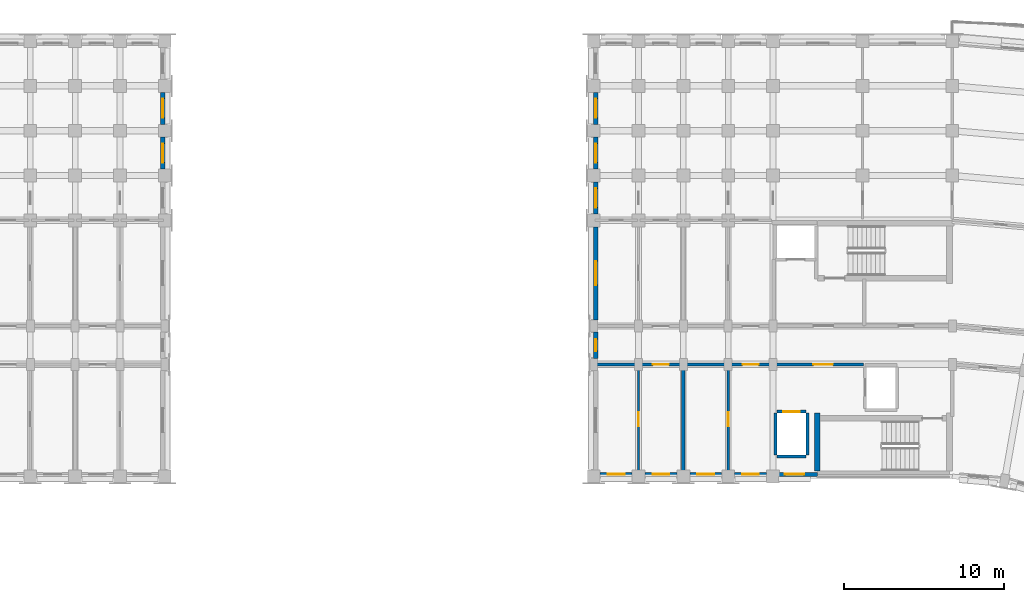
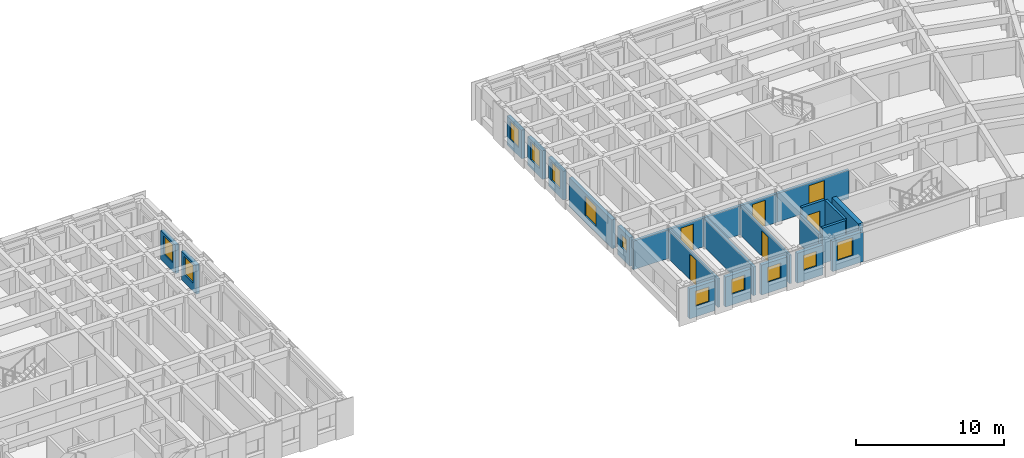
# One storey, part 48 of 76: 25 walls, 12 windows, 6 doors, 18 openings.
"""IFC4 building model written with IfcOpenShell, lengths in metres."""

from ifc_helpers import new_model, si_unit, direction, frame, frame_2d, origin, place, context, subcontext, project, spatial, rectangle, extrude, material, layer, layer_set, type_object, element, fill, save


model = new_model("IFC4")

# Units and contexts
model_context = context("Model", 3, precision=1e-05, world=origin(), true_north=direction((0.0, 1.0)))
body_context = subcontext(model_context, "Body", "Model", "MODEL_VIEW")
ifc_project = project(units=[si_unit("LENGTHUNIT", "METRE"), si_unit("AREAUNIT", "SQUARE_METRE"), si_unit("VOLUMEUNIT", "CUBIC_METRE"), si_unit("PLANEANGLEUNIT", "RADIAN"), si_unit("MASSUNIT", "GRAM", prefix="KILO")], contexts=[model_context])

# Site, building, storey
site_placement = place(None, origin())
site = spatial("IfcSite", under=ifc_project, at=site_placement, CompositionType="ELEMENT")
building_placement = place(site_placement, origin())
building = spatial("IfcBuilding", under=site, at=building_placement, Name="Kiranvali Square Residences", CompositionType="ELEMENT")
storey_placement = place(building_placement, frame((0.0, 0.0, 8.699951171875)))
storey = spatial("IfcBuildingStorey", under=building, at=storey_placement, Name="L02", CompositionType="ELEMENT", Elevation=8.699951171875)

# Wall, opening, door
ifc_material_1 = material(Name="Autoclaved aerated concrete blockwork masonry", Category="masonry")
ifc_layer_1 = layer(ifc_material_1, 0.199951171875)
ifc_layer_set_1 = layer_set([ifc_layer_1], Name="Autoclaved aerated concrete blockwork masonry")
wall_type_1 = type_object("IfcWallType", Name="WL-COR-200", PredefinedType="STANDARD", material=ifc_layer_set_1)
wall_1_placement = place(storey_placement, frame((114.25, 113.60009765625, 0.0), z_axis=(0.0, 0.0, 1.0), x_axis=(-1.0, 0.0, 0.0)))
wall_1 = element("IfcWall", 1, at=wall_1_placement, inside=storey, type_object=wall_type_1, Name="L02 architectural wall WL-L02-B-LL-COR", PredefinedType="STANDARD", context=body_context, shape_type="SweptSolid", body=[
    extrude(rectangle(XDim=5.60009765625, YDim=0.199951171875, at=frame_2d((2.800048828125, 0.0))), origin(), (0.0, 0.0, 1.0), 2.3720703125),
])
opening_1_placement = place(wall_1_placement, frame((1.909912109375, 0.0, 0.0)))
opening_1 = element("IfcOpeningElement", 2, at=opening_1_placement, cuts=wall_1, Name="Opening FD-COR-60", PredefinedType="OPENING", context=body_context, shape_type="SweptSolid", body=[
    extrude(rectangle(XDim=1.219970703125, YDim=2.14990234375, at=frame_2d((0.60986328125, 1.074951171875))), frame((0.0, 0.10986328125, 0.0), z_axis=(0.0, -1.0, 0.0), x_axis=(1.0, 0.0, 0.0)), (0.0, 0.0, 1.0), 0.219970703125),
])
ifc_material_2 = material(Name="Fire-rated acoustic hardwood and mineral-core door assembly", Category="wood")
door_type_1 = type_object("IfcDoorType", Name="DR-FD60-1200", OperationType="NOTDEFINED", PredefinedType="DOOR", material=ifc_material_2)
door_1_placement = place(opening_1_placement, origin())
door_1 = element("IfcDoor", 3, at=door_1_placement, inside=storey, type_object=door_type_1, Name="L02 door DR-L02-1071 (DR-FD60-1200)", OperationType="SINGLE_SWING_LEFT", OverallHeight=2.14990234375, OverallWidth=1.219970703125, PredefinedType="DOOR", context=body_context, shape_type="SweptSolid", body=[
    extrude(rectangle(XDim=1.219970703125, YDim=2.14990234375, at=frame_2d((0.60986328125, 1.074951171875))), frame((0.0, 0.02490234375, 0.0), z_axis=(0.0, -1.0, 0.0), x_axis=(1.0, 0.0, 0.0)), (0.0, 0.0, 1.0), 0.050048828125),
])
fill(opening_1, door_1)

wall_2_placement = place(storey_placement, frame((108.60009765625, 113.60009765625, 0.0), z_axis=(0.0, 0.0, 1.0), x_axis=(-1.0, 0.0, 0.0)))
wall_2 = element("IfcWall", 4, at=wall_2_placement, inside=storey, type_object=wall_type_1, Name="L02 architectural wall WL-L02-B-A1CI-0", PredefinedType="STANDARD", context=body_context, shape_type="SweptSolid", body=[
    extrude(rectangle(XDim=2.800048828125, YDim=0.199951171875, at=frame_2d((1.39990234375, 0.0))), origin(), (0.0, 0.0, 1.0), 2.3720703125),
])
opening_2_placement = place(wall_2_placement, frame((0.89990234375, 0.0, 0.0)))
opening_2 = element("IfcOpeningElement", 5, at=opening_2_placement, cuts=wall_2, Name="Opening FD-APT-60", PredefinedType="OPENING", context=body_context, shape_type="SweptSolid", body=[
    extrude(rectangle(XDim=1.0, YDim=2.14990234375, at=frame_2d((0.5, 1.074951171875))), frame((0.0, 0.10986328125, 0.0), z_axis=(0.0, -1.0, 0.0), x_axis=(1.0, 0.0, 0.0)), (0.0, 0.0, 1.0), 0.219970703125),
])
door_type_2 = type_object("IfcDoorType", Name="DR-APT-1000", OperationType="NOTDEFINED", PredefinedType="DOOR", material=ifc_material_2)
door_2_placement = place(opening_2_placement, origin())
door_2 = element("IfcDoor", 6, at=door_2_placement, inside=storey, type_object=door_type_2, Name="L02 door DR-L02-1075 (DR-APT-1000)", OperationType="SINGLE_SWING_LEFT", OverallHeight=2.14990234375, OverallWidth=1.0, PredefinedType="DOOR", context=body_context, shape_type="SweptSolid", body=[
    extrude(rectangle(XDim=1.0, YDim=2.14990234375, at=frame_2d((0.5, 1.074951171875))), frame((0.0, 0.02490234375, 0.0), z_axis=(0.0, -1.0, 0.0), x_axis=(1.0, 0.0, 0.0)), (0.0, 0.0, 1.0), 0.050048828125),
])
fill(opening_2, door_2)

# Wall
wall_3_placement = place(storey_placement, frame((105.800048828125, 113.60009765625, 0.0), z_axis=(0.0, 0.0, 1.0), x_axis=(-1.0, 0.0, 0.0)))
element("IfcWall", 7, at=wall_3_placement, inside=storey, type_object=wall_type_1, Name="L02 architectural wall WL-L02-B-A1CI-1", PredefinedType="STANDARD", context=body_context, shape_type="SweptSolid", body=[
    extrude(rectangle(XDim=2.800048828125, YDim=0.199951171875, at=frame_2d((1.39990234375, 0.0))), origin(), (0.0, 0.0, 1.0), 2.3720703125),
])

# Wall, opening, door
wall_4_placement = place(storey_placement, frame((103.0, 113.60009765625, 0.0), z_axis=(0.0, 0.0, 1.0), x_axis=(-1.0, 0.0, 0.0)))
wall_4 = element("IfcWall", 8, at=wall_4_placement, inside=storey, type_object=wall_type_1, Name="L02 architectural wall WL-L02-B-A1CI-2", PredefinedType="STANDARD", context=body_context, shape_type="SweptSolid", body=[
    extrude(rectangle(XDim=2.800048828125, YDim=0.199951171875, at=frame_2d((1.39990234375, 0.0))), origin(), (0.0, 0.0, 1.0), 2.3720703125),
])
opening_3_placement = place(wall_4_placement, frame((0.89990234375, 0.0, 0.0)))
opening_3 = element("IfcOpeningElement", 9, at=opening_3_placement, cuts=wall_4, Name="Opening FD-APT-60", PredefinedType="OPENING", context=body_context, shape_type="SweptSolid", body=[
    extrude(rectangle(XDim=1.0, YDim=2.14990234375, at=frame_2d((0.5, 1.074951171875))), frame((0.0, 0.10986328125, 0.0), z_axis=(0.0, -1.0, 0.0), x_axis=(1.0, 0.0, 0.0)), (0.0, 0.0, 1.0), 0.219970703125),
])
door_3_placement = place(opening_3_placement, origin())
door_3 = element("IfcDoor", 10, at=door_3_placement, inside=storey, type_object=door_type_2, Name="L02 door DR-L02-1079 (DR-APT-1000)", OperationType="SINGLE_SWING_LEFT", OverallHeight=2.14990234375, OverallWidth=1.0, PredefinedType="DOOR", context=body_context, shape_type="SweptSolid", body=[
    extrude(rectangle(XDim=1.0, YDim=2.14990234375, at=frame_2d((0.5, 1.074951171875))), frame((0.0, 0.02490234375, 0.0), z_axis=(0.0, -1.0, 0.0), x_axis=(1.0, 0.0, 0.0)), (0.0, 0.0, 1.0), 0.050048828125),
])
fill(opening_3, door_3)

# Walls
wall_5_placement = place(storey_placement, frame((100.199951171875, 113.60009765625, 0.0), z_axis=(0.0, 0.0, 1.0), x_axis=(-1.0, 0.0, 0.0)))
element("IfcWall", 11, at=wall_5_placement, inside=storey, type_object=wall_type_1, Name="L02 architectural wall WL-L02-B-A1CI-3", PredefinedType="STANDARD", context=body_context, shape_type="SweptSolid", body=[
    extrude(rectangle(XDim=2.800048828125, YDim=0.199951171875, at=frame_2d((1.39990234375, 0.0))), origin(), (0.0, 0.0, 1.0), 2.3720703125),
])
ifc_layer_2 = layer(ifc_material_1, 0.219970703125)
ifc_layer_set_2 = layer_set([ifc_layer_2], Name="Autoclaved aerated concrete blockwork masonry")
wall_type_2 = type_object("IfcWallType", Name="WL-DEM-220", PredefinedType="STANDARD", material=ifc_layer_set_2)
wall_6_placement = place(storey_placement, frame((103.0, 106.800048828125, 0.0), z_axis=(0.0, 0.0, 1.0), x_axis=(0.0, 1.0, 0.0)))
element("IfcWall", 12, at=wall_6_placement, inside=storey, type_object=wall_type_2, Name="L02 architectural wall WL-L02-B-A1TI-2", PredefinedType="STANDARD", context=body_context, shape_type="SweptSolid", body=[
    extrude(rectangle(XDim=6.75, YDim=0.219970703125, at=frame_2d((3.375, 0.0))), origin(), (0.0, 0.0, 1.0), 2.3720703125),
])

# Wall, opening, window
ifc_material_3 = material(Name="Breathable lime-rendered clay brick masonry", Category="masonry")
ifc_layer_3 = layer(ifc_material_3, 0.27490234375)
ifc_layer_set_3 = layer_set([ifc_layer_3], Name="Breathable lime-rendered clay brick masonry")
wall_type_3 = type_object("IfcWallType", Name="WL-EXT-275", PredefinedType="STANDARD", material=ifc_layer_set_3)
wall_7_placement = place(storey_placement, frame((70.47509765625, 125.803466796875, 0.0), z_axis=(0.0, 0.0, 1.0), x_axis=(0.0, 1.0, 0.0)))
wall_7 = element("IfcWall", 13, at=wall_7_placement, inside=storey, type_object=wall_type_3, Name="L02 exterior wall A-L02-A1END-4", PredefinedType="STANDARD", context=body_context, shape_type="SweptSolid", body=[
    extrude(rectangle(XDim=1.992919921875, YDim=0.27490234375, at=frame_2d((0.99658203125, 0.0))), origin(), (0.0, 0.0, 1.0), 2.3720703125),
])
opening_4_placement = place(wall_7_placement, frame((0.396484375, 0.0, 0.672119140625)))
opening_4 = element("IfcOpeningElement", 14, at=opening_4_placement, cuts=wall_7, Name="Opening W-06", PredefinedType="OPENING", context=body_context, shape_type="SweptSolid", body=[
    extrude(rectangle(XDim=1.199951171875, YDim=1.5, at=frame_2d((0.60009765625, 0.75))), frame((0.0, 0.1474609375, 0.0), z_axis=(0.0, -1.0, 0.0), x_axis=(1.0, 0.0, 0.0)), (0.0, 0.0, 1.0), 0.294921875),
])
ifc_material_4 = material(Name="Solar-control low-e double glazing", Category="glass")
window_type_1 = type_object("IfcWindowType", Name="WIN-RES-1200x1500", PartitioningType="SINGLE_PANEL", PredefinedType="WINDOW", material=ifc_material_4)
window_1_placement = place(opening_4_placement, origin())
window_1 = element("IfcWindow", 15, at=window_1_placement, inside=storey, type_object=window_type_1, Name="L02 recessed window A-L02-A1END-4", OverallHeight=1.5, OverallWidth=1.199951171875, PartitioningType="SINGLE_PANEL", PredefinedType="WINDOW", context=body_context, shape_type="SweptSolid", body=[
    extrude(rectangle(XDim=1.199951171875, YDim=1.5, at=frame_2d((0.60009765625, 0.75))), frame((0.0, 0.030029296875, 0.0), z_axis=(0.0, -1.0, 0.0), x_axis=(1.0, 0.0, 0.0)), (0.0, 0.0, 1.0), 0.06005859375),
])
fill(opening_4, window_1)

wall_8_placement = place(storey_placement, frame((70.47509765625, 128.603515625, 0.0), z_axis=(0.0, 0.0, 1.0), x_axis=(0.0, 1.0, 0.0)))
wall_8 = element("IfcWall", 16, at=wall_8_placement, inside=storey, type_object=wall_type_3, Name="L02 exterior wall A-L02-A1END-5", PredefinedType="STANDARD", context=body_context, shape_type="SweptSolid", body=[
    extrude(rectangle(XDim=1.992919921875, YDim=0.27490234375, at=frame_2d((0.99658203125, 0.0))), origin(), (0.0, 0.0, 1.0), 2.3720703125),
])
opening_5_placement = place(wall_8_placement, frame((0.396484375, 0.0, 0.672119140625)))
opening_5 = element("IfcOpeningElement", 17, at=opening_5_placement, cuts=wall_8, Name="Opening W-06", PredefinedType="OPENING", context=body_context, shape_type="SweptSolid", body=[
    extrude(rectangle(XDim=1.199951171875, YDim=1.5, at=frame_2d((0.60009765625, 0.75))), frame((0.0, 0.1474609375, 0.0), z_axis=(0.0, -1.0, 0.0), x_axis=(1.0, 0.0, 0.0)), (0.0, 0.0, 1.0), 0.294921875),
])
window_2_placement = place(opening_5_placement, origin())
window_2 = element("IfcWindow", 18, at=window_2_placement, inside=storey, type_object=window_type_1, Name="L02 recessed window A-L02-A1END-5", OverallHeight=1.5, OverallWidth=1.199951171875, PartitioningType="SINGLE_PANEL", PredefinedType="WINDOW", context=body_context, shape_type="SweptSolid", body=[
    extrude(rectangle(XDim=1.199951171875, YDim=1.5, at=frame_2d((0.60009765625, 0.75))), frame((0.0, 0.030029296875, 0.0), z_axis=(0.0, -1.0, 0.0), x_axis=(1.0, 0.0, 0.0)), (0.0, 0.0, 1.0), 0.06005859375),
])
fill(opening_5, window_2)

wall_9_placement = place(storey_placement, frame((111.37158203125, 106.72509765625, 0.0), z_axis=(0.0, 0.0, 1.0), x_axis=(-1.0, 0.0, 0.0)))
wall_9 = element("IfcWall", 19, at=wall_9_placement, inside=storey, type_object=wall_type_3, Name="L02 exterior wall B-L02-A1IN-0", PredefinedType="STANDARD", context=body_context, shape_type="SweptSolid", body=[
    extrude(rectangle(XDim=2.421630859375, YDim=0.27490234375, at=frame_2d((1.2109375, 0.0))), origin(), (0.0, 0.0, 1.0), 2.47216796875),
])
opening_6_placement = place(wall_9_placement, frame((0.821533203125, 0.0, 0.77197265625)))
opening_6 = element("IfcOpeningElement", 20, at=opening_6_placement, cuts=wall_9, Name="Opening W-06", PredefinedType="OPENING", context=body_context, shape_type="SweptSolid", body=[
    extrude(rectangle(XDim=1.199951171875, YDim=1.5, at=frame_2d((0.60009765625, 0.75))), frame((0.0, 0.1474609375, 0.0), z_axis=(0.0, -1.0, 0.0), x_axis=(1.0, 0.0, 0.0)), (0.0, 0.0, 1.0), 0.294921875),
])
window_3_placement = place(opening_6_placement, origin())
window_3 = element("IfcWindow", 21, at=window_3_placement, inside=storey, type_object=window_type_1, Name="L02 recessed window B-L02-A1IN-0", OverallHeight=1.5, OverallWidth=1.199951171875, PartitioningType="SINGLE_PANEL", PredefinedType="WINDOW", context=body_context, shape_type="SweptSolid", body=[
    extrude(rectangle(XDim=1.199951171875, YDim=1.5, at=frame_2d((0.60009765625, 0.75))), frame((0.0, 0.030029296875, 0.0), z_axis=(0.0, -1.0, 0.0), x_axis=(1.0, 0.0, 0.0)), (0.0, 0.0, 1.0), 0.06005859375),
])
fill(opening_6, window_3)

wall_10_placement = place(storey_placement, frame((108.196533203125, 106.72509765625, 0.0), z_axis=(0.0, 0.0, 1.0), x_axis=(-1.0, 0.0, 0.0)))
wall_10 = element("IfcWall", 22, at=wall_10_placement, inside=storey, type_object=wall_type_3, Name="L02 exterior wall B-L02-A1I-0", PredefinedType="STANDARD", context=body_context, shape_type="SweptSolid", body=[
    extrude(rectangle(XDim=1.992919921875, YDim=0.27490234375, at=frame_2d((0.99658203125, 0.0))), origin(), (0.0, 0.0, 1.0), 2.47216796875),
])
opening_7_placement = place(wall_10_placement, frame((0.471435546875, 0.0, 0.8798828125)))
opening_7 = element("IfcOpeningElement", 23, at=opening_7_placement, cuts=wall_10, Name="Opening W-24", PredefinedType="OPENING", context=body_context, shape_type="SweptSolid", body=[
    extrude(rectangle(XDim=1.050048828125, YDim=1.25, at=frame_2d((0.52490234375, 0.625))), frame((0.0, 0.1474609375, 0.0), z_axis=(0.0, -1.0, 0.0), x_axis=(1.0, 0.0, 0.0)), (0.0, 0.0, 1.0), 0.294921875),
])
window_type_2 = type_object("IfcWindowType", Name="WIN-COR-1050x1250", PartitioningType="SINGLE_PANEL", PredefinedType="WINDOW", material=ifc_material_4)
window_4_placement = place(opening_7_placement, origin())
window_4 = element("IfcWindow", 24, at=window_4_placement, inside=storey, type_object=window_type_2, Name="L02 recessed window B-L02-A1I-0", OverallHeight=1.25, OverallWidth=1.050048828125, PartitioningType="SINGLE_PANEL", PredefinedType="WINDOW", context=body_context, shape_type="SweptSolid", body=[
    extrude(rectangle(XDim=1.050048828125, YDim=1.25, at=frame_2d((0.52490234375, 0.625))), frame((0.0, 0.030029296875, 0.0), z_axis=(0.0, -1.0, 0.0), x_axis=(1.0, 0.0, 0.0)), (0.0, 0.0, 1.0), 0.06005859375),
])
fill(opening_7, window_4)

wall_11_placement = place(storey_placement, frame((105.396484375, 106.72509765625, 0.0), z_axis=(0.0, 0.0, 1.0), x_axis=(-1.0, 0.0, 0.0)))
wall_11 = element("IfcWall", 25, at=wall_11_placement, inside=storey, type_object=wall_type_3, Name="L02 exterior wall B-L02-A1I-1", PredefinedType="STANDARD", context=body_context, shape_type="SweptSolid", body=[
    extrude(rectangle(XDim=1.992919921875, YDim=0.27490234375, at=frame_2d((0.99658203125, 0.0))), origin(), (0.0, 0.0, 1.0), 2.47216796875),
])
opening_8_placement = place(wall_11_placement, frame((0.471435546875, 0.0, 0.8798828125)))
opening_8 = element("IfcOpeningElement", 26, at=opening_8_placement, cuts=wall_11, Name="Opening W-24", PredefinedType="OPENING", context=body_context, shape_type="SweptSolid", body=[
    extrude(rectangle(XDim=1.050048828125, YDim=1.25, at=frame_2d((0.52490234375, 0.625))), frame((0.0, 0.1474609375, 0.0), z_axis=(0.0, -1.0, 0.0), x_axis=(1.0, 0.0, 0.0)), (0.0, 0.0, 1.0), 0.294921875),
])
window_5_placement = place(opening_8_placement, origin())
window_5 = element("IfcWindow", 27, at=window_5_placement, inside=storey, type_object=window_type_2, Name="L02 recessed window B-L02-A1I-1", OverallHeight=1.25, OverallWidth=1.050048828125, PartitioningType="SINGLE_PANEL", PredefinedType="WINDOW", context=body_context, shape_type="SweptSolid", body=[
    extrude(rectangle(XDim=1.050048828125, YDim=1.25, at=frame_2d((0.52490234375, 0.625))), frame((0.0, 0.030029296875, 0.0), z_axis=(0.0, -1.0, 0.0), x_axis=(1.0, 0.0, 0.0)), (0.0, 0.0, 1.0), 0.06005859375),
])
fill(opening_8, window_5)

wall_12_placement = place(storey_placement, frame((102.596435546875, 106.72509765625, 0.0), z_axis=(0.0, 0.0, 1.0), x_axis=(-1.0, 0.0, 0.0)))
wall_12 = element("IfcWall", 28, at=wall_12_placement, inside=storey, type_object=wall_type_3, Name="L02 exterior wall B-L02-A1I-2", PredefinedType="STANDARD", context=body_context, shape_type="SweptSolid", body=[
    extrude(rectangle(XDim=1.992919921875, YDim=0.27490234375, at=frame_2d((0.99658203125, 0.0))), origin(), (0.0, 0.0, 1.0), 2.47216796875),
])
opening_9_placement = place(wall_12_placement, frame((0.471435546875, 0.0, 0.8798828125)))
opening_9 = element("IfcOpeningElement", 29, at=opening_9_placement, cuts=wall_12, Name="Opening W-24", PredefinedType="OPENING", context=body_context, shape_type="SweptSolid", body=[
    extrude(rectangle(XDim=1.050048828125, YDim=1.25, at=frame_2d((0.52490234375, 0.625))), frame((0.0, 0.1474609375, 0.0), z_axis=(0.0, -1.0, 0.0), x_axis=(1.0, 0.0, 0.0)), (0.0, 0.0, 1.0), 0.294921875),
])
window_6_placement = place(opening_9_placement, origin())
window_6 = element("IfcWindow", 30, at=window_6_placement, inside=storey, type_object=window_type_2, Name="L02 recessed window B-L02-A1I-2", OverallHeight=1.25, OverallWidth=1.050048828125, PartitioningType="SINGLE_PANEL", PredefinedType="WINDOW", context=body_context, shape_type="SweptSolid", body=[
    extrude(rectangle(XDim=1.050048828125, YDim=1.25, at=frame_2d((0.52490234375, 0.625))), frame((0.0, 0.030029296875, 0.0), z_axis=(0.0, -1.0, 0.0), x_axis=(1.0, 0.0, 0.0)), (0.0, 0.0, 1.0), 0.06005859375),
])
fill(opening_9, window_6)

wall_13_placement = place(storey_placement, frame((99.79638671875, 106.72509765625, 0.0), z_axis=(0.0, 0.0, 1.0), x_axis=(-1.0, 0.0, 0.0)))
wall_13 = element("IfcWall", 31, at=wall_13_placement, inside=storey, type_object=wall_type_3, Name="L02 exterior wall B-L02-A1I-3", PredefinedType="STANDARD", context=body_context, shape_type="SweptSolid", body=[
    extrude(rectangle(XDim=1.992919921875, YDim=0.27490234375, at=frame_2d((0.99658203125, 0.0))), origin(), (0.0, 0.0, 1.0), 2.47216796875),
])
opening_10_placement = place(wall_13_placement, frame((0.471435546875, 0.0, 0.8798828125)))
opening_10 = element("IfcOpeningElement", 32, at=opening_10_placement, cuts=wall_13, Name="Opening W-24", PredefinedType="OPENING", context=body_context, shape_type="SweptSolid", body=[
    extrude(rectangle(XDim=1.050048828125, YDim=1.25, at=frame_2d((0.52490234375, 0.625))), frame((0.0, 0.1474609375, 0.0), z_axis=(0.0, -1.0, 0.0), x_axis=(1.0, 0.0, 0.0)), (0.0, 0.0, 1.0), 0.294921875),
])
window_7_placement = place(opening_10_placement, origin())
window_7 = element("IfcWindow", 33, at=window_7_placement, inside=storey, type_object=window_type_2, Name="L02 recessed window B-L02-A1I-3", OverallHeight=1.25, OverallWidth=1.050048828125, PartitioningType="SINGLE_PANEL", PredefinedType="WINDOW", context=body_context, shape_type="SweptSolid", body=[
    extrude(rectangle(XDim=1.050048828125, YDim=1.25, at=frame_2d((0.52490234375, 0.625))), frame((0.0, 0.030029296875, 0.0), z_axis=(0.0, -1.0, 0.0), x_axis=(1.0, 0.0, 0.0)), (0.0, 0.0, 1.0), 0.06005859375),
])
fill(opening_10, window_7)

wall_14_placement = place(storey_placement, frame((97.52490234375, 113.978515625, 0.0), z_axis=(0.0, 0.0, 1.0), x_axis=(0.0, 1.0, 0.0)))
wall_14 = element("IfcWall", 34, at=wall_14_placement, inside=storey, type_object=wall_type_3, Name="L02 exterior wall B-L02-A1END-1", PredefinedType="STANDARD", context=body_context, shape_type="SweptSolid", body=[
    extrude(rectangle(XDim=1.64306640625, YDim=0.27490234375, at=frame_2d((0.821533203125, 0.0))), origin(), (0.0, 0.0, 1.0), 2.3720703125),
])
opening_11_placement = place(wall_14_placement, frame((0.446533203125, 0.0, 0.8798828125)))
opening_11 = element("IfcOpeningElement", 35, at=opening_11_placement, cuts=wall_14, Name="Opening W-07", PredefinedType="OPENING", context=body_context, shape_type="SweptSolid", body=[
    extrude(rectangle(XDim=0.75, YDim=1.050048828125, at=frame_2d((0.375, 0.52490234375))), frame((0.0, 0.1474609375, 0.0), z_axis=(0.0, -1.0, 0.0), x_axis=(1.0, 0.0, 0.0)), (0.0, 0.0, 1.0), 0.294921875),
])
window_type_3 = type_object("IfcWindowType", Name="WIN-WET-750x1050", PartitioningType="SINGLE_PANEL", PredefinedType="WINDOW", material=ifc_material_4)
window_8_placement = place(opening_11_placement, origin())
window_8 = element("IfcWindow", 36, at=window_8_placement, inside=storey, type_object=window_type_3, Name="L02 recessed window B-L02-A1END-1", OverallHeight=1.050048828125, OverallWidth=0.75, PartitioningType="SINGLE_PANEL", PredefinedType="WINDOW", context=body_context, shape_type="SweptSolid", body=[
    extrude(rectangle(XDim=0.75, YDim=1.050048828125, at=frame_2d((0.375, 0.52490234375))), frame((0.0, 0.030029296875, 0.0), z_axis=(0.0, -1.0, 0.0), x_axis=(1.0, 0.0, 0.0)), (0.0, 0.0, 1.0), 0.06005859375),
])
fill(opening_11, window_8)

wall_15_placement = place(storey_placement, frame((97.52490234375, 116.37841796875, 0.0), z_axis=(0.0, 0.0, 1.0), x_axis=(0.0, 1.0, 0.0)))
wall_15 = element("IfcWall", 37, at=wall_15_placement, inside=storey, type_object=wall_type_3, Name="L02 exterior wall B-L02-A1END-2", PredefinedType="STANDARD", context=body_context, shape_type="SweptSolid", body=[
    extrude(rectangle(XDim=5.818115234375, YDim=0.27490234375, at=frame_2d((2.9091796875, 0.0))), origin(), (0.0, 0.0, 1.0), 2.3720703125),
])
opening_12_placement = place(wall_15_placement, frame((2.17138671875, 0.0, 0.52197265625)))
opening_12 = element("IfcOpeningElement", 38, at=opening_12_placement, cuts=wall_15, Name="Opening W-05", PredefinedType="OPENING", context=body_context, shape_type="SweptSolid", body=[
    extrude(rectangle(XDim=1.5, YDim=1.64990234375, at=frame_2d((0.75, 0.824951171875))), frame((0.0, 0.1474609375, 0.0), z_axis=(0.0, -1.0, 0.0), x_axis=(1.0, 0.0, 0.0)), (0.0, 0.0, 1.0), 0.294921875),
])
window_type_4 = type_object("IfcWindowType", Name="WIN-RES-1500x1650", PartitioningType="DOUBLE_PANEL_VERTICAL", PredefinedType="WINDOW", material=ifc_material_4)
window_9_placement = place(opening_12_placement, origin())
window_9 = element("IfcWindow", 39, at=window_9_placement, inside=storey, type_object=window_type_4, Name="L02 recessed window B-L02-A1END-2", OverallHeight=1.64990234375, OverallWidth=1.5, PartitioningType="DOUBLE_PANEL_VERTICAL", PredefinedType="WINDOW", context=body_context, shape_type="SweptSolid", body=[
    extrude(rectangle(XDim=1.5, YDim=1.64990234375, at=frame_2d((0.75, 0.824951171875))), frame((0.0, 0.030029296875, 0.0), z_axis=(0.0, -1.0, 0.0), x_axis=(1.0, 0.0, 0.0)), (0.0, 0.0, 1.0), 0.06005859375),
])
fill(opening_12, window_9)

wall_16_placement = place(storey_placement, frame((97.52490234375, 123.00341796875, 0.0), z_axis=(0.0, 0.0, 1.0), x_axis=(0.0, 1.0, 0.0)))
wall_16 = element("IfcWall", 40, at=wall_16_placement, inside=storey, type_object=wall_type_3, Name="L02 exterior wall B-L02-A1END-3", PredefinedType="STANDARD", context=body_context, shape_type="SweptSolid", body=[
    extrude(rectangle(XDim=1.9931640625, YDim=0.27490234375, at=frame_2d((0.99658203125, 0.0))), origin(), (0.0, 0.0, 1.0), 2.3720703125),
])
opening_13_placement = place(wall_16_placement, frame((0.396484375, 0.0, 0.672119140625)))
opening_13 = element("IfcOpeningElement", 41, at=opening_13_placement, cuts=wall_16, Name="Opening W-06", PredefinedType="OPENING", context=body_context, shape_type="SweptSolid", body=[
    extrude(rectangle(XDim=1.199951171875, YDim=1.5, at=frame_2d((0.60009765625, 0.75))), frame((0.0, 0.1474609375, 0.0), z_axis=(0.0, -1.0, 0.0), x_axis=(1.0, 0.0, 0.0)), (0.0, 0.0, 1.0), 0.294921875),
])
window_10_placement = place(opening_13_placement, origin())
window_10 = element("IfcWindow", 42, at=window_10_placement, inside=storey, type_object=window_type_1, Name="L02 recessed window B-L02-A1END-3", OverallHeight=1.5, OverallWidth=1.199951171875, PartitioningType="SINGLE_PANEL", PredefinedType="WINDOW", context=body_context, shape_type="SweptSolid", body=[
    extrude(rectangle(XDim=1.199951171875, YDim=1.5, at=frame_2d((0.60009765625, 0.75))), frame((0.0, 0.030029296875, 0.0), z_axis=(0.0, -1.0, 0.0), x_axis=(1.0, 0.0, 0.0)), (0.0, 0.0, 1.0), 0.06005859375),
])
fill(opening_13, window_10)

wall_17_placement = place(storey_placement, frame((97.52490234375, 125.803466796875, 0.0), z_axis=(0.0, 0.0, 1.0), x_axis=(0.0, 1.0, 0.0)))
wall_17 = element("IfcWall", 43, at=wall_17_placement, inside=storey, type_object=wall_type_3, Name="L02 exterior wall B-L02-A1END-4", PredefinedType="STANDARD", context=body_context, shape_type="SweptSolid", body=[
    extrude(rectangle(XDim=1.992919921875, YDim=0.27490234375, at=frame_2d((0.99658203125, 0.0))), origin(), (0.0, 0.0, 1.0), 2.3720703125),
])
opening_14_placement = place(wall_17_placement, frame((0.396484375, 0.0, 0.672119140625)))
opening_14 = element("IfcOpeningElement", 44, at=opening_14_placement, cuts=wall_17, Name="Opening W-06", PredefinedType="OPENING", context=body_context, shape_type="SweptSolid", body=[
    extrude(rectangle(XDim=1.199951171875, YDim=1.5, at=frame_2d((0.60009765625, 0.75))), frame((0.0, 0.1474609375, 0.0), z_axis=(0.0, -1.0, 0.0), x_axis=(1.0, 0.0, 0.0)), (0.0, 0.0, 1.0), 0.294921875),
])
window_11_placement = place(opening_14_placement, origin())
window_11 = element("IfcWindow", 45, at=window_11_placement, inside=storey, type_object=window_type_1, Name="L02 recessed window B-L02-A1END-4", OverallHeight=1.5, OverallWidth=1.199951171875, PartitioningType="SINGLE_PANEL", PredefinedType="WINDOW", context=body_context, shape_type="SweptSolid", body=[
    extrude(rectangle(XDim=1.199951171875, YDim=1.5, at=frame_2d((0.60009765625, 0.75))), frame((0.0, 0.030029296875, 0.0), z_axis=(0.0, -1.0, 0.0), x_axis=(1.0, 0.0, 0.0)), (0.0, 0.0, 1.0), 0.06005859375),
])
fill(opening_14, window_11)

wall_18_placement = place(storey_placement, frame((97.52490234375, 128.603515625, 0.0), z_axis=(0.0, 0.0, 1.0), x_axis=(0.0, 1.0, 0.0)))
wall_18 = element("IfcWall", 46, at=wall_18_placement, inside=storey, type_object=wall_type_3, Name="L02 exterior wall B-L02-A1END-5", PredefinedType="STANDARD", context=body_context, shape_type="SweptSolid", body=[
    extrude(rectangle(XDim=1.992919921875, YDim=0.27490234375, at=frame_2d((0.99658203125, 0.0))), origin(), (0.0, 0.0, 1.0), 2.3720703125),
])
opening_15_placement = place(wall_18_placement, frame((0.396484375, 0.0, 0.672119140625)))
opening_15 = element("IfcOpeningElement", 47, at=opening_15_placement, cuts=wall_18, Name="Opening W-06", PredefinedType="OPENING", context=body_context, shape_type="SweptSolid", body=[
    extrude(rectangle(XDim=1.199951171875, YDim=1.5, at=frame_2d((0.60009765625, 0.75))), frame((0.0, 0.1474609375, 0.0), z_axis=(0.0, -1.0, 0.0), x_axis=(1.0, 0.0, 0.0)), (0.0, 0.0, 1.0), 0.294921875),
])
window_12_placement = place(opening_15_placement, origin())
window_12 = element("IfcWindow", 48, at=window_12_placement, inside=storey, type_object=window_type_1, Name="L02 recessed window B-L02-A1END-5", OverallHeight=1.5, OverallWidth=1.199951171875, PartitioningType="SINGLE_PANEL", PredefinedType="WINDOW", context=body_context, shape_type="SweptSolid", body=[
    extrude(rectangle(XDim=1.199951171875, YDim=1.5, at=frame_2d((0.60009765625, 0.75))), frame((0.0, 0.030029296875, 0.0), z_axis=(0.0, -1.0, 0.0), x_axis=(1.0, 0.0, 0.0)), (0.0, 0.0, 1.0), 0.06005859375),
])
fill(opening_15, window_12)

# Wall, opening, door
ifc_material_5 = material(Name="Acoustic gypsum board drylined partition", Category="gypsum")
ifc_layer_4 = layer(ifc_material_5, 0.14990234375)
ifc_layer_set_4 = layer_set([ifc_layer_4], Name="Acoustic gypsum board drylined partition")
wall_type_4 = type_object("IfcWallType", Name="WL-PRT-150", PredefinedType="PARTITIONING", material=ifc_layer_set_4)
wall_19_placement = place(storey_placement, frame((105.800048828125, 106.800048828125, 0.0), z_axis=(0.0, 0.0, 1.0), x_axis=(0.0, 1.0, 0.0)))
wall_19 = element("IfcWall", 49, at=wall_19_placement, inside=storey, type_object=wall_type_4, Name="L02 architectural wall WL-L02-B-A1TI-1", PredefinedType="PARTITIONING", context=body_context, shape_type="SweptSolid", body=[
    extrude(rectangle(XDim=6.75, YDim=0.14990234375, at=frame_2d((3.375, 0.0))), origin(), (0.0, 0.0, 1.0), 2.3720703125),
])
opening_16_placement = place(wall_19_placement, frame((2.925048828125, 0.0, 0.0)))
opening_16 = element("IfcOpeningElement", 50, at=opening_16_placement, cuts=wall_19, Name="Opening ID-1", PredefinedType="OPENING", context=body_context, shape_type="SweptSolid", body=[
    extrude(rectangle(XDim=0.89990234375, YDim=2.10009765625, at=frame_2d((0.449951171875, 1.050048828125))), frame((0.0, 0.0849609375, 0.0), z_axis=(0.0, -1.0, 0.0), x_axis=(1.0, 0.0, 0.0)), (0.0, 0.0, 1.0), 0.169921875),
])
ifc_material_6 = material(Name="Solid seasoned teak hardwood joinery", Category="wood")
door_type_3 = type_object("IfcDoorType", Name="DR-INT-900", OperationType="NOTDEFINED", PredefinedType="DOOR", material=ifc_material_6)
door_4_placement = place(opening_16_placement, frame((0.89990234375, 0.0, 0.0), z_axis=(0.0, 0.0, 1.0), x_axis=(-1.0, 0.0, 0.0)))
door_4 = element("IfcDoor", 51, at=door_4_placement, inside=storey, type_object=door_type_3, Name="L02 door DR-L02-1084 (DR-INT-900)", OperationType="SINGLE_SWING_RIGHT", OverallHeight=2.10009765625, OverallWidth=0.89990234375, PredefinedType="DOOR", context=body_context, shape_type="SweptSolid", body=[
    extrude(rectangle(XDim=0.89990234375, YDim=2.10009765625, at=frame_2d((0.449951171875, 1.050048828125))), frame((0.0, 0.02490234375, 0.0), z_axis=(0.0, -1.0, 0.0), x_axis=(1.0, 0.0, 0.0)), (0.0, 0.0, 1.0), 0.050048828125),
])
fill(opening_16, door_4)

wall_20_placement = place(storey_placement, frame((100.199951171875, 106.800048828125, 0.0), z_axis=(0.0, 0.0, 1.0), x_axis=(0.0, 1.0, 0.0)))
wall_20 = element("IfcWall", 52, at=wall_20_placement, inside=storey, type_object=wall_type_4, Name="L02 architectural wall WL-L02-B-A1TI-3", PredefinedType="PARTITIONING", context=body_context, shape_type="SweptSolid", body=[
    extrude(rectangle(XDim=6.75, YDim=0.14990234375, at=frame_2d((3.375, 0.0))), origin(), (0.0, 0.0, 1.0), 2.3720703125),
])
opening_17_placement = place(wall_20_placement, frame((2.925048828125, 0.0, 0.0)))
opening_17 = element("IfcOpeningElement", 53, at=opening_17_placement, cuts=wall_20, Name="Opening ID-1", PredefinedType="OPENING", context=body_context, shape_type="SweptSolid", body=[
    extrude(rectangle(XDim=0.89990234375, YDim=2.10009765625, at=frame_2d((0.449951171875, 1.050048828125))), frame((0.0, 0.0849609375, 0.0), z_axis=(0.0, -1.0, 0.0), x_axis=(1.0, 0.0, 0.0)), (0.0, 0.0, 1.0), 0.169921875),
])
door_5_placement = place(opening_17_placement, origin())
door_5 = element("IfcDoor", 54, at=door_5_placement, inside=storey, type_object=door_type_3, Name="L02 door DR-L02-1087 (DR-INT-900)", OperationType="SINGLE_SWING_LEFT", OverallHeight=2.10009765625, OverallWidth=0.89990234375, PredefinedType="DOOR", context=body_context, shape_type="SweptSolid", body=[
    extrude(rectangle(XDim=0.89990234375, YDim=2.10009765625, at=frame_2d((0.449951171875, 1.050048828125))), frame((0.0, 0.02490234375, 0.0), z_axis=(0.0, -1.0, 0.0), x_axis=(1.0, 0.0, 0.0)), (0.0, 0.0, 1.0), 0.050048828125),
])
fill(opening_17, door_5)

# Walls
ifc_layer_5 = layer(ifc_material_1, 0.199951171875)
ifc_layer_set_5 = layer_set([ifc_layer_5], Name="Autoclaved aerated concrete blockwork masonry")
wall_type_5 = type_object("IfcWallType", Name="WL-SHF-200", PredefinedType="STANDARD", material=ifc_layer_set_5)
wall_21_placement = place(storey_placement, frame((110.75, 107.949951171875, 0.0), z_axis=(0.0, 0.0, 1.0), x_axis=(0.0, 1.0, 0.0)))
element("IfcWall", 55, at=wall_21_placement, inside=storey, type_object=wall_type_5, Name="L02 architectural wall WL-L02-B-LP1-S1", PredefinedType="STANDARD", context=body_context, shape_type="SweptSolid", body=[
    extrude(rectangle(XDim=2.60009765625, YDim=0.199951171875, at=frame_2d((1.300048828125, 0.0))), origin(), (0.0, 0.0, 1.0), 2.929931640625),
])
wall_22_placement = place(storey_placement, frame((108.75, 107.949951171875, 0.0), z_axis=(0.0, 0.0, 1.0), x_axis=(0.0, 1.0, 0.0)))
element("IfcWall", 56, at=wall_22_placement, inside=storey, type_object=wall_type_5, Name="L02 architectural wall WL-L02-B-LP1-B", PredefinedType="STANDARD", context=body_context, shape_type="SweptSolid", body=[
    extrude(rectangle(XDim=2.60009765625, YDim=0.199951171875, at=frame_2d((1.300048828125, 0.0))), origin(), (0.0, 0.0, 1.0), 2.3720703125),
])
wall_23_placement = place(storey_placement, frame((110.64990234375, 107.85009765625, 0.0), z_axis=(0.0, 0.0, 1.0), x_axis=(-1.0, 0.0, 0.0)))
element("IfcWall", 57, at=wall_23_placement, inside=storey, type_object=wall_type_5, Name="L02 architectural wall WL-L02-B-LP1-S2", PredefinedType="STANDARD", context=body_context, shape_type="SweptSolid", body=[
    extrude(rectangle(XDim=1.7998046875, YDim=0.199951171875, at=frame_2d((0.89990234375, 0.0))), origin(), (0.0, 0.0, 1.0), 2.929931640625),
])

# Wall, opening, door
wall_24_placement = place(storey_placement, frame((110.64990234375, 110.64990234375, 0.0), z_axis=(0.0, 0.0, 1.0), x_axis=(-1.0, 0.0, 0.0)))
wall_24 = element("IfcWall", 58, at=wall_24_placement, inside=storey, type_object=wall_type_5, Name="L02 architectural wall WL-L02-B-LP1-F", PredefinedType="STANDARD", context=body_context, shape_type="SweptSolid", body=[
    extrude(rectangle(XDim=1.7998046875, YDim=0.199951171875, at=frame_2d((0.89990234375, 0.0))), origin(), (0.0, 0.0, 1.0), 2.929931640625),
])
opening_18_placement = place(wall_24_placement, frame((0.389892578125, 0.0, 0.0)))
opening_18 = element("IfcOpeningElement", 59, at=opening_18_placement, cuts=wall_24, Name="Opening LD-PAX-100", PredefinedType="OPENING", context=body_context, shape_type="SweptSolid", body=[
    extrude(rectangle(XDim=1.02001953125, YDim=2.14990234375, at=frame_2d((0.510009765625, 1.074951171875))), frame((0.0, 0.10986328125, 0.0), z_axis=(0.0, -1.0, 0.0), x_axis=(1.0, 0.0, 0.0)), (0.0, 0.0, 1.0), 0.219970703125),
])
door_type_4 = type_object("IfcDoorType", Name="DR-LIFT-1000", OperationType="SLIDING_TO_RIGHT", PredefinedType="DOOR", material=ifc_material_2)
door_6_placement = place(opening_18_placement, origin())
door_6 = element("IfcDoor", 60, at=door_6_placement, inside=storey, type_object=door_type_4, Name="L02 door DR-L02-1069 (DR-LIFT-1000)", OperationType="SLIDING_TO_RIGHT", OverallHeight=2.14990234375, OverallWidth=1.02001953125, PredefinedType="DOOR", context=body_context, shape_type="SweptSolid", body=[
    extrude(rectangle(XDim=1.02001953125, YDim=2.14990234375, at=frame_2d((0.510009765625, 1.074951171875))), frame((0.0, 0.02490234375, 0.0), z_axis=(0.0, -1.0, 0.0), x_axis=(1.0, 0.0, 0.0)), (0.0, 0.0, 1.0), 0.050048828125),
])
fill(opening_18, door_6)

# Wall
ifc_material_7 = material(Name="Concrete M50 (50 MPa)", Category="concrete")
ifc_layer_6 = layer(ifc_material_7, 0.35009765625)
ifc_layer_set_6 = layer_set([ifc_layer_6], Name="Concrete M50 (50 MPa)")
wall_type_6 = type_object("IfcWallType", Name="WL-SHR-350", PredefinedType="SHEAR", material=ifc_layer_set_6)
wall_25_placement = place(storey_placement, frame((111.375, 106.949951171875, 0.0), z_axis=(0.0, 0.0, 1.0), x_axis=(0.0, 1.0, 0.0)))
element("IfcWall", 61, at=wall_25_placement, inside=storey, type_object=wall_type_6, Name="Block B core shear wall SW-B2-FAR-L02", PredefinedType="SHEAR", context=body_context, shape_type="SweptSolid", body=[
    extrude(rectangle(XDim=3.60009765625, YDim=0.35009765625, at=frame_2d((1.800048828125, 0.0))), origin(), (0.0, 0.0, 1.0), 2.929931640625),
])

save(model, "model.ifc")
